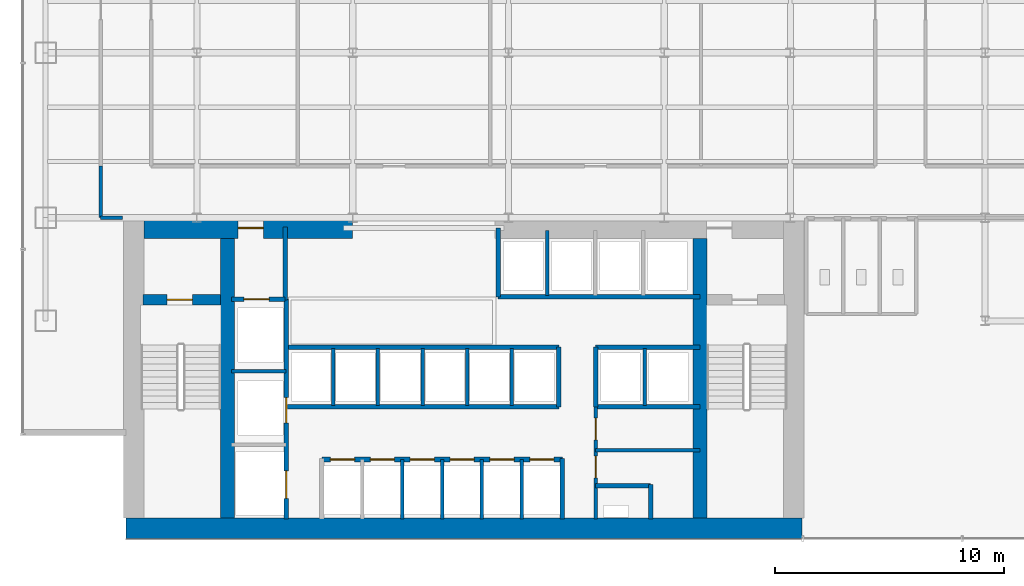
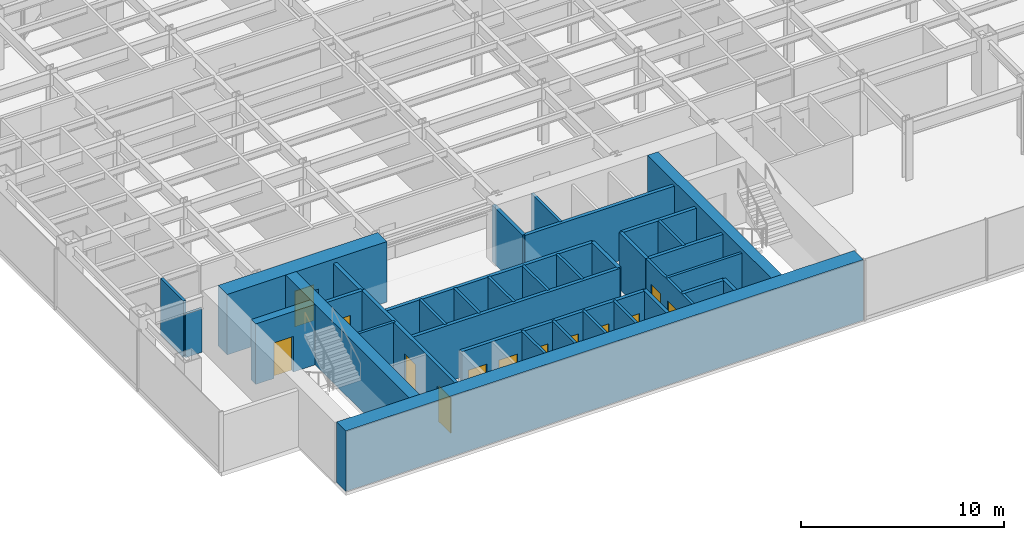
# One storey, part 18 of 23: 36 walls, 13 doors, 13 openings.
"""IFC4 building model written with IfcOpenShell, lengths in metres."""

from ifc_helpers import new_model, si_unit, derived_unit, direction, frame, frame_2d, origin, place, context, subcontext, project, spatial, rectangle, extrude, source, transform, mapped, material, layer, layer_set, type_object, element, fill, save


model = new_model("IFC4")

# Units and contexts
model_context = context("Model", 3, precision=1e-05, world=origin(), true_north=direction((0.0, 1.0)))
body_context = subcontext(model_context, "Body", "Model", "MODEL_VIEW")
ifc_project = project(units=[si_unit("LENGTHUNIT", "METRE"), si_unit("AREAUNIT", "SQUARE_METRE"), si_unit("VOLUMEUNIT", "CUBIC_METRE"), si_unit("PLANEANGLEUNIT", "RADIAN"), si_unit("MASSUNIT", "GRAM", prefix="KILO"), derived_unit("THERMALTRANSMITTANCEUNIT", [(si_unit("POWERUNIT", "WATT"), 1), (si_unit("LENGTHUNIT", "METRE"), -2), (si_unit("THERMODYNAMICTEMPERATUREUNIT", "KELVIN"), -1)])], contexts=[model_context])

# Site, building, storey
site_placement = place(None, origin())
site = spatial("IfcSite", under=ifc_project, at=site_placement, CompositionType="ELEMENT")
building_placement = place(site_placement, origin())
building = spatial("IfcBuilding", under=site, at=building_placement, Name="Skarnbrae Concourse Arena and Tower", CompositionType="ELEMENT")
storey_placement = place(building_placement, frame((0.0, 0.0, 47.10009765625)))
storey = spatial("IfcBuildingStorey", under=building, at=storey_placement, Name="L10", CompositionType="ELEMENT", Elevation=47.10009765625)

# Wall
ifc_material_1 = material(Name="Concrete 70 MPa (C70/85)", Category="concrete")
ifc_layer_1 = layer(ifc_material_1, 0.89990234375)
ifc_layer_set_1 = layer_set([ifc_layer_1], Name="Concrete 70 MPa (C70/85)")
wall_type_1 = type_object("IfcWallType", Name="WALL-CORE-900-C70", PredefinedType="SHEAR", material=ifc_layer_set_1)
shared_shape_1 = source(origin(), body_context, "Body", "SweptSolid", [
    extrude(rectangle(XDim=29.5, YDim=0.89990234375, at=frame_2d((14.75, 0.0))), origin(), (0.0, 0.0, 1.0), 3.64990234375),
])
wall_1_placement = place(storey_placement, frame((4.5, 0.449951171875, 0.0), z_axis=(0.0, 0.0, 1.0), x_axis=(1.0, 0.0, 0.0)))
element("IfcWall", 1, at=wall_1_placement, inside=storey, type_object=wall_type_1, Name="L10 Rear core shear wall CW-S", PredefinedType="SHEAR", context=body_context, shape_type="MappedRepresentation", body=[
    mapped(shared_shape_1, transform((0.0, 0.0, 0.0))),
])

# Wall, opening, door
shared_shape_2 = source(origin(), body_context, "Body", "SweptSolid", [
    extrude(rectangle(XDim=9.099853515625, YDim=0.89990234375, at=frame_2d((4.5498046875, 0.0))), origin(), (0.0, 0.0, 1.0), 3.64990234375),
])
wall_2_placement = place(storey_placement, frame((5.300048828125, 13.550048828125, 0.0), z_axis=(0.0, 0.0, 1.0), x_axis=(1.0, 0.0, 0.0)))
wall_2 = element("IfcWall", 2, at=wall_2_placement, inside=storey, type_object=wall_type_1, Name="L10 Rear core shear wall CW-NW", PredefinedType="SHEAR", context=body_context, shape_type="MappedRepresentation", body=[
    mapped(shared_shape_2, transform((0.0, 0.0, 0.0))),
])
opening_1_placement = place(wall_2_placement, frame((4.10009765625, 0.0, 0.0)))
opening_1 = element("IfcOpeningElement", 3, at=opening_1_placement, cuts=wall_2, Name="Opening DT-03", PredefinedType="OPENING", context=body_context, shape_type="SweptSolid", body=[
    extrude(rectangle(XDim=1.10009765625, YDim=2.14990234375, at=frame_2d((0.550048828125, 1.074951171875))), frame((0.0, 0.4599609375, 0.0), z_axis=(0.0, -1.0, 0.0), x_axis=(1.0, 0.0, 0.0)), (0.0, 0.0, 1.0), 0.919921875),
])
ifc_material_2 = material(Name="Steel CSA G40.21 350W", Category="steel")
door_type_1 = type_object("IfcDoorType", Name="DOOR-FIRE-1100-90M", OperationType="NOTDEFINED", PredefinedType="DOOR", material=ifc_material_2)
shared_shape_3 = source(origin(), body_context, "Body", "SweptSolid", [
    extrude(rectangle(XDim=1.10009765625, YDim=2.14990234375, at=frame_2d((0.550048828125, 1.074951171875))), frame((0.0, 0.02490234375, 0.0), z_axis=(0.0, -1.0, 0.0), x_axis=(1.0, 0.0, 0.0)), (0.0, 0.0, 1.0), 0.050048828125),
])
door_1_placement = place(opening_1_placement, origin())
door_1 = element("IfcDoor", 4, at=door_1_placement, inside=storey, type_object=door_type_1, Name="D-0439 Firefighting Lobby Exit Door", OperationType="SINGLE_SWING_RIGHT", OverallHeight=2.14990234375, OverallWidth=1.10009765625, PredefinedType="DOOR", context=body_context, shape_type="MappedRepresentation", body=[
    mapped(shared_shape_3, transform((0.0, 0.0, 0.0))),
])
fill(opening_1, door_1)

# Walls
ifc_layer_2 = layer(ifc_material_1, 0.60009765625)
ifc_layer_set_2 = layer_set([ifc_layer_2], Name="Concrete 70 MPa (C70/85)")
wall_type_2 = type_object("IfcWallType", Name="WALL-CORE-600-C70", PredefinedType="SHEAR", material=ifc_layer_set_2)
shared_shape_4 = source(origin(), body_context, "Body", "SweptSolid", [
    extrude(rectangle(XDim=12.2001953125, YDim=0.60009765625, at=frame_2d((6.10009765625, 0.0))), origin(), (0.0, 0.0, 1.0), 3.64990234375),
])
for number, where, z_axis, x_axis, name in (
    (5, (8.93994140625, 0.89990234375, 0.0), (0.0, 0.0, 1.0), (0.0, 1.0, 0.0), "L10 Rear core shear wall CW-WEB-W"),
    (6, (29.56005859375, 0.89990234375, 0.0), (0.0, 0.0, 1.0), (0.0, 1.0, 0.0), "L10 Rear core shear wall CW-WEB-E"),
):
    element("IfcWall", number, at=place(storey_placement, frame(where, z_axis=z_axis, x_axis=x_axis)), inside=storey, type_object=wall_type_2, Name=name, PredefinedType="SHEAR", context=body_context, shape_type="MappedRepresentation", body=[
        mapped(shared_shape_4, transform((0.0, 0.0, 0.0))),
    ])

# Wall, opening, door
ifc_material_3 = material(Name="Concrete 50 MPa (C50/60)", Category="concrete")
ifc_layer_3 = layer(ifc_material_3, 0.449951171875)
ifc_layer_set_3 = layer_set([ifc_layer_3], Name="Concrete 50 MPa (C50/60)")
wall_type_3 = type_object("IfcWallType", Name="WALL-CORE-450-C50", PredefinedType="SHEAR", material=ifc_layer_set_3)
shared_shape_5 = source(origin(), body_context, "Body", "SweptSolid", [
    extrude(rectangle(XDim=3.389892578125, YDim=0.449951171875, at=frame_2d((1.69482421875, 0.0))), origin(), (0.0, 0.0, 1.0), 3.64990234375),
])
wall_3_placement = place(storey_placement, frame((5.25, 10.419921875, 0.0), z_axis=(0.0, 0.0, 1.0), x_axis=(1.0, 0.0, 0.0)))
wall_3 = element("IfcWall", 7, at=wall_3_placement, inside=storey, type_object=wall_type_3, Name="L10 Rear core shear wall CW-ST1-N", PredefinedType="SHEAR", context=body_context, shape_type="MappedRepresentation", body=[
    mapped(shared_shape_5, transform((0.0, 0.0, 0.0))),
])
opening_2_placement = place(wall_3_placement, frame((1.050048828125, 0.0, 0.0)))
opening_2 = element("IfcOpeningElement", 8, at=opening_2_placement, cuts=wall_3, Name="Opening DT-03", PredefinedType="OPENING", context=body_context, shape_type="SweptSolid", body=[
    extrude(rectangle(XDim=1.10009765625, YDim=2.14990234375, at=frame_2d((0.550048828125, 1.074951171875))), frame((0.0, 0.23486328125, 0.0), z_axis=(0.0, -1.0, 0.0), x_axis=(1.0, 0.0, 0.0)), (0.0, 0.0, 1.0), 0.469970703125),
])
door_2_placement = place(opening_2_placement, frame((1.10009765625, 0.0, 0.0), z_axis=(0.0, 0.0, 1.0), x_axis=(-1.0, 0.0, 0.0)))
door_2 = element("IfcDoor", 9, at=door_2_placement, inside=storey, type_object=door_type_1, Name="D-0437 Stair ST-1 Door", OperationType="SINGLE_SWING_LEFT", OverallHeight=2.14990234375, OverallWidth=1.10009765625, PredefinedType="DOOR", context=body_context, shape_type="MappedRepresentation", body=[
    mapped(shared_shape_3, transform((0.0, 0.0, 0.0))),
])
fill(opening_2, door_2)

# Wall
ifc_material_4 = material(Name="Gypsum board on cold-formed steel studs", Category="steel")
ifc_layer_4 = layer(ifc_material_4, 0.199951171875)
ifc_layer_set_4 = layer_set([ifc_layer_4], Name="Gypsum board on cold-formed steel studs")
wall_type_4 = type_object("IfcWallType", Name="WALL-PART-200-2HR", PredefinedType="PARTITIONING", material=ifc_layer_set_4)
shared_shape_6 = source(origin(), body_context, "Body", "SweptSolid", [
    extrude(rectangle(XDim=3.18017578125, YDim=0.199951171875, at=frame_2d((1.590087890625, 0.0))), origin(), (0.0, 0.0, 1.0), 3.39990234375),
])
wall_4_placement = place(storey_placement, frame((11.449951171875, 10.419921875, 0.0), z_axis=(0.0, 0.0, 1.0), x_axis=(0.0, 1.0, 0.0)))
element("IfcWall", 10, at=wall_4_placement, inside=storey, type_object=wall_type_4, Name="L10 Interior partition wall W-L10-FFL-E", PredefinedType="PARTITIONING", context=body_context, shape_type="MappedRepresentation", body=[
    mapped(shared_shape_6, transform((0.0, 0.0, 0.0))),
])

# Wall, opening, door
shared_shape_7 = source(origin(), body_context, "Body", "SweptSolid", [
    extrude(rectangle(XDim=2.349853515625, YDim=0.199951171875, at=frame_2d((1.1748046875, 0.0))), origin(), (0.0, 0.0, 1.0), 3.39990234375),
])
wall_5_placement = place(storey_placement, frame((9.10009765625, 10.449951171875, 0.0), z_axis=(0.0, 0.0, 1.0), x_axis=(1.0, 0.0, 0.0)))
wall_5 = element("IfcWall", 11, at=wall_5_placement, inside=storey, type_object=wall_type_4, Name="L10 Interior partition wall W-L10-FL1-N", PredefinedType="PARTITIONING", context=body_context, shape_type="MappedRepresentation", body=[
    mapped(shared_shape_7, transform((0.0, 0.0, 0.0))),
])
opening_3_placement = place(wall_5_placement, frame((0.550048828125, 0.0, 0.0)))
opening_3 = element("IfcOpeningElement", 12, at=opening_3_placement, cuts=wall_5, Name="Opening LD-01", PredefinedType="OPENING", context=body_context, shape_type="SweptSolid", body=[
    extrude(rectangle(XDim=1.10009765625, YDim=2.14990234375, at=frame_2d((0.550048828125, 1.074951171875))), frame((0.0, 0.10986328125, 0.0), z_axis=(0.0, -1.0, 0.0), x_axis=(1.0, 0.0, 0.0)), (0.0, 0.0, 1.0), 0.219970703125),
])
door_type_2 = type_object("IfcDoorType", Name="DOOR-LIFT-SLIDE-1100", OperationType="SLIDING_TO_LEFT", PredefinedType="DOOR", material=ifc_material_2)
door_3_placement = place(opening_3_placement, origin())
door_3 = element("IfcDoor", 13, at=door_3_placement, inside=storey, type_object=door_type_2, Name="D-0441 Firefighting Lift Landing Door FL-01", OperationType="SLIDING_TO_LEFT", OverallHeight=2.14990234375, OverallWidth=1.10009765625, PredefinedType="DOOR", context=body_context, shape_type="MappedRepresentation", body=[
    mapped(shared_shape_3, transform((0.0, 0.0, 0.0))),
])
fill(opening_3, door_3)

# Wall, openings, doors
shared_shape_8 = source(origin(), body_context, "Body", "SweptSolid", [
    extrude(rectangle(XDim=9.599853515625, YDim=0.199951171875, at=frame_2d((4.7998046875, 0.0))), origin(), (0.0, 0.0, 1.0), 3.39990234375),
])
wall_6_placement = place(storey_placement, frame((11.5, 0.85009765625, 0.0), z_axis=(0.0, 0.0, 1.0), x_axis=(0.0, 1.0, 0.0)))
wall_6 = element("IfcWall", 14, at=wall_6_placement, inside=storey, type_object=wall_type_4, Name="L10 Interior partition wall W-L10-FL-E", PredefinedType="PARTITIONING", context=body_context, shape_type="MappedRepresentation", body=[
    mapped(shared_shape_8, transform((0.0, 0.0, 0.0))),
])
opening_4_placement = place(wall_6_placement, frame((4.199951171875, 0.0, 0.0)))
opening_4 = element("IfcOpeningElement", 15, at=opening_4_placement, cuts=wall_6, Name="Opening LD-01", PredefinedType="OPENING", context=body_context, shape_type="SweptSolid", body=[
    extrude(rectangle(XDim=1.10009765625, YDim=2.14990234375, at=frame_2d((0.550048828125, 1.074951171875))), frame((0.0, 0.10986328125, 0.0), z_axis=(0.0, -1.0, 0.0), x_axis=(1.0, 0.0, 0.0)), (0.0, 0.0, 1.0), 0.219970703125),
])
opening_5_placement = place(wall_6_placement, frame((0.89990234375, 0.0, 0.0)))
opening_5 = element("IfcOpeningElement", 16, at=opening_5_placement, cuts=wall_6, Name="Opening LD-02", PredefinedType="OPENING", context=body_context, shape_type="SweptSolid", body=[
    extrude(rectangle(XDim=1.199951171875, YDim=2.14990234375, at=frame_2d((0.60009765625, 1.074951171875))), frame((0.0, 0.10986328125, 0.0), z_axis=(0.0, -1.0, 0.0), x_axis=(1.0, 0.0, 0.0)), (0.0, 0.0, 1.0), 0.219970703125),
])
door_4_placement = place(opening_4_placement, frame((1.10009765625, 0.0, 0.0), z_axis=(0.0, 0.0, 1.0), x_axis=(-1.0, 0.0, 0.0)))
door_4 = element("IfcDoor", 17, at=door_4_placement, inside=storey, type_object=door_type_2, Name="D-0442 Firefighting Lift Landing Door FL-02", OperationType="SLIDING_TO_LEFT", OverallHeight=2.14990234375, OverallWidth=1.10009765625, PredefinedType="DOOR", context=body_context, shape_type="MappedRepresentation", body=[
    mapped(shared_shape_3, transform((0.0, 0.0, 0.0))),
])
fill(opening_4, door_4)
door_type_3 = type_object("IfcDoorType", Name="DOOR-LIFT-SLIDE-1200", OperationType="SLIDING_TO_LEFT", PredefinedType="DOOR", material=ifc_material_2)
shared_shape_9 = source(origin(), body_context, "Body", "SweptSolid", [
    extrude(rectangle(XDim=1.199951171875, YDim=2.14990234375, at=frame_2d((0.60009765625, 1.074951171875))), frame((0.0, 0.02490234375, 0.0), z_axis=(0.0, -1.0, 0.0), x_axis=(1.0, 0.0, 0.0)), (0.0, 0.0, 1.0), 0.050048828125),
])
door_5_placement = place(opening_5_placement, frame((1.199951171875, 0.0, 0.0), z_axis=(0.0, 0.0, 1.0), x_axis=(-1.0, 0.0, 0.0)))
door_5 = element("IfcDoor", 18, at=door_5_placement, inside=storey, type_object=door_type_3, Name="D-0443 Service Lift Landing Door SV-01", OperationType="SLIDING_TO_LEFT", OverallHeight=2.14990234375, OverallWidth=1.199951171875, PredefinedType="DOOR", context=body_context, shape_type="MappedRepresentation", body=[
    mapped(shared_shape_9, transform((0.0, 0.0, 0.0))),
])
fill(opening_5, door_5)

# Walls
ifc_layer_5 = layer(ifc_material_4, 0.14990234375)
ifc_layer_set_5 = layer_set([ifc_layer_5], Name="Gypsum board on cold-formed steel studs")
wall_type_5 = type_object("IfcWallType", Name="WALL-PART-150", PredefinedType="PARTITIONING", material=ifc_layer_set_5)
shared_shape_10 = source(origin(), body_context, "Body", "SweptSolid", [
    extrude(rectangle(XDim=2.39990234375, YDim=0.14990234375, at=frame_2d((1.199951171875, 0.0))), origin(), (0.0, 0.0, 1.0), 3.39990234375),
])
wall_7_placement = place(storey_placement, frame((9.10009765625, 7.300048828125, 0.0), z_axis=(0.0, 0.0, 1.0), x_axis=(1.0, 0.0, 0.0)))
element("IfcWall", 19, at=wall_7_placement, inside=storey, type_object=wall_type_5, Name="L10 Interior partition wall W-L10-FL-D2", PredefinedType="PARTITIONING", context=body_context, shape_type="MappedRepresentation", body=[
    mapped(shared_shape_10, transform((0.0, 0.0, 0.0))),
])
shared_shape_11 = source(origin(), body_context, "Body", "SweptSolid", [
    extrude(rectangle(XDim=2.64990234375, YDim=0.199951171875, at=frame_2d((1.324951171875, 0.0))), origin(), (0.0, 0.0, 1.0), 3.39990234375),
])
wall_8_placement = place(storey_placement, frame((23.550048828125, 0.85009765625, 0.0), z_axis=(0.0, 0.0, 1.0), x_axis=(0.0, 1.0, 0.0)))
element("IfcWall", 20, at=wall_8_placement, inside=storey, type_object=wall_type_4, Name="L10 Interior partition wall W-L10-B1-E", PredefinedType="PARTITIONING", context=body_context, shape_type="MappedRepresentation", body=[
    mapped(shared_shape_11, transform((0.0, 0.0, 0.0))),
])

# Wall, openings, doors
shared_shape_12 = source(origin(), body_context, "Body", "SweptSolid", [
    extrude(rectangle(XDim=10.5, YDim=0.199951171875, at=frame_2d((5.25, 0.0))), origin(), (0.0, 0.0, 1.0), 3.39990234375),
])
wall_9_placement = place(storey_placement, frame((13.050048828125, 3.449951171875, 0.0), z_axis=(0.0, 0.0, 1.0), x_axis=(1.0, 0.0, 0.0)))
wall_9 = element("IfcWall", 21, at=wall_9_placement, inside=storey, type_object=wall_type_4, Name="L10 Interior partition wall W-L10-B1-N", PredefinedType="PARTITIONING", context=body_context, shape_type="MappedRepresentation", body=[
    mapped(shared_shape_12, transform((0.0, 0.0, 0.0))),
])
opening_6_placement = place(wall_9_placement, frame((0.3798828125, 0.0, 0.0)))
opening_6 = element("IfcOpeningElement", 22, at=opening_6_placement, cuts=wall_9, Name="Opening LD-03", PredefinedType="OPENING", context=body_context, shape_type="SweptSolid", body=[
    extrude(rectangle(XDim=1.050048828125, YDim=2.14990234375, at=frame_2d((0.52490234375, 1.074951171875))), frame((0.0, 0.10986328125, 0.0), z_axis=(0.0, -1.0, 0.0), x_axis=(1.0, 0.0, 0.0)), (0.0, 0.0, 1.0), 0.219970703125),
])
opening_7_placement = place(wall_9_placement, frame((2.1201171875, 0.0, 0.0)))
opening_7 = element("IfcOpeningElement", 23, at=opening_7_placement, cuts=wall_9, Name="Opening LD-03", PredefinedType="OPENING", context=body_context, shape_type="SweptSolid", body=[
    extrude(rectangle(XDim=1.050048828125, YDim=2.14990234375, at=frame_2d((0.52490234375, 1.074951171875))), frame((0.0, 0.10986328125, 0.0), z_axis=(0.0, -1.0, 0.0), x_axis=(1.0, 0.0, 0.0)), (0.0, 0.0, 1.0), 0.219970703125),
])
opening_8_placement = place(wall_9_placement, frame((3.860107421875, 0.0, 0.0)))
opening_8 = element("IfcOpeningElement", 24, at=opening_8_placement, cuts=wall_9, Name="Opening LD-03", PredefinedType="OPENING", context=body_context, shape_type="SweptSolid", body=[
    extrude(rectangle(XDim=1.050048828125, YDim=2.14990234375, at=frame_2d((0.52490234375, 1.074951171875))), frame((0.0, 0.10986328125, 0.0), z_axis=(0.0, -1.0, 0.0), x_axis=(1.0, 0.0, 0.0)), (0.0, 0.0, 1.0), 0.219970703125),
])
opening_9_placement = place(wall_9_placement, frame((5.60009765625, 0.0, 0.0)))
opening_9 = element("IfcOpeningElement", 25, at=opening_9_placement, cuts=wall_9, Name="Opening LD-03", PredefinedType="OPENING", context=body_context, shape_type="SweptSolid", body=[
    extrude(rectangle(XDim=1.050048828125, YDim=2.14990234375, at=frame_2d((0.52490234375, 1.074951171875))), frame((0.0, 0.10986328125, 0.0), z_axis=(0.0, -1.0, 0.0), x_axis=(1.0, 0.0, 0.0)), (0.0, 0.0, 1.0), 0.219970703125),
])
opening_10_placement = place(wall_9_placement, frame((7.340087890625, 0.0, 0.0)))
opening_10 = element("IfcOpeningElement", 26, at=opening_10_placement, cuts=wall_9, Name="Opening LD-03", PredefinedType="OPENING", context=body_context, shape_type="SweptSolid", body=[
    extrude(rectangle(XDim=1.050048828125, YDim=2.14990234375, at=frame_2d((0.52490234375, 1.074951171875))), frame((0.0, 0.10986328125, 0.0), z_axis=(0.0, -1.0, 0.0), x_axis=(1.0, 0.0, 0.0)), (0.0, 0.0, 1.0), 0.219970703125),
])
opening_11_placement = place(wall_9_placement, frame((9.080078125, 0.0, 0.0)))
opening_11 = element("IfcOpeningElement", 27, at=opening_11_placement, cuts=wall_9, Name="Opening LD-03", PredefinedType="OPENING", context=body_context, shape_type="SweptSolid", body=[
    extrude(rectangle(XDim=1.050048828125, YDim=2.14990234375, at=frame_2d((0.52490234375, 1.074951171875))), frame((0.0, 0.10986328125, 0.0), z_axis=(0.0, -1.0, 0.0), x_axis=(1.0, 0.0, 0.0)), (0.0, 0.0, 1.0), 0.219970703125),
])
ifc_material_5 = material(Name="Bronze anodised aluminium 6063-T6", Category="aluminium")
door_type_4 = type_object("IfcDoorType", Name="DOOR-LIFT-SLIDE-1050", OperationType="SLIDING_TO_LEFT", PredefinedType="DOOR", material=ifc_material_5)
shared_shape_13 = source(origin(), body_context, "Body", "SweptSolid", [
    extrude(rectangle(XDim=1.050048828125, YDim=2.14990234375, at=frame_2d((0.52490234375, 1.074951171875))), frame((0.0, 0.02490234375, 0.0), z_axis=(0.0, -1.0, 0.0), x_axis=(1.0, 0.0, 0.0)), (0.0, 0.0, 1.0), 0.050048828125),
])
door_6_placement = place(opening_6_placement, origin())
door_6 = element("IfcDoor", 28, at=door_6_placement, inside=storey, type_object=door_type_4, Name="D-0444 Passenger Lift Landing Door PL-1A", OperationType="SLIDING_TO_LEFT", OverallHeight=2.14990234375, OverallWidth=1.050048828125, PredefinedType="DOOR", context=body_context, shape_type="MappedRepresentation", body=[
    mapped(shared_shape_13, transform((0.0, 0.0, 0.0))),
])
fill(opening_6, door_6)
door_7_placement = place(opening_7_placement, origin())
door_7 = element("IfcDoor", 29, at=door_7_placement, inside=storey, type_object=door_type_4, Name="D-0445 Passenger Lift Landing Door PL-1B", OperationType="SLIDING_TO_LEFT", OverallHeight=2.14990234375, OverallWidth=1.050048828125, PredefinedType="DOOR", context=body_context, shape_type="MappedRepresentation", body=[
    mapped(shared_shape_13, transform((0.0, 0.0, 0.0))),
])
fill(opening_7, door_7)
door_8_placement = place(opening_8_placement, origin())
door_8 = element("IfcDoor", 30, at=door_8_placement, inside=storey, type_object=door_type_4, Name="D-0446 Passenger Lift Landing Door PL-1C", OperationType="SLIDING_TO_LEFT", OverallHeight=2.14990234375, OverallWidth=1.050048828125, PredefinedType="DOOR", context=body_context, shape_type="MappedRepresentation", body=[
    mapped(shared_shape_13, transform((0.0, 0.0, 0.0))),
])
fill(opening_8, door_8)
door_9_placement = place(opening_9_placement, origin())
door_9 = element("IfcDoor", 31, at=door_9_placement, inside=storey, type_object=door_type_4, Name="D-0447 Passenger Lift Landing Door PL-1D", OperationType="SLIDING_TO_LEFT", OverallHeight=2.14990234375, OverallWidth=1.050048828125, PredefinedType="DOOR", context=body_context, shape_type="MappedRepresentation", body=[
    mapped(shared_shape_13, transform((0.0, 0.0, 0.0))),
])
fill(opening_9, door_9)
door_10_placement = place(opening_10_placement, origin())
door_10 = element("IfcDoor", 32, at=door_10_placement, inside=storey, type_object=door_type_4, Name="D-0448 Passenger Lift Landing Door PL-1E", OperationType="SLIDING_TO_LEFT", OverallHeight=2.14990234375, OverallWidth=1.050048828125, PredefinedType="DOOR", context=body_context, shape_type="MappedRepresentation", body=[
    mapped(shared_shape_13, transform((0.0, 0.0, 0.0))),
])
fill(opening_10, door_10)
door_11_placement = place(opening_11_placement, origin())
door_11 = element("IfcDoor", 33, at=door_11_placement, inside=storey, type_object=door_type_4, Name="D-0449 Passenger Lift Landing Door PL-1F", OperationType="SLIDING_TO_LEFT", OverallHeight=2.14990234375, OverallWidth=1.050048828125, PredefinedType="DOOR", context=body_context, shape_type="MappedRepresentation", body=[
    mapped(shared_shape_13, transform((0.0, 0.0, 0.0))),
])
fill(opening_11, door_11)

# Walls
shared_shape_14 = source(origin(), body_context, "Body", "SweptSolid", [
    extrude(rectangle(XDim=2.599853515625, YDim=0.14990234375, at=frame_2d((1.2998046875, 0.0))), origin(), (0.0, 0.0, 1.0), 3.39990234375),
])
for number, where, z_axis, x_axis, name in (
    (34, (16.56005859375, 0.85009765625, 0.0), (0.0, 0.0, 1.0), (0.0, 1.0, 0.0), "L10 Interior partition wall W-L10-B1-P2"),
    (35, (18.300048828125, 0.85009765625, 0.0), (0.0, 0.0, 1.0), (0.0, 1.0, 0.0), "L10 Interior partition wall W-L10-B1-P3"),
    (36, (20.0400390625, 0.85009765625, 0.0), (0.0, 0.0, 1.0), (0.0, 1.0, 0.0), "L10 Interior partition wall W-L10-B1-P4"),
    (37, (21.780029296875, 0.85009765625, 0.0), (0.0, 0.0, 1.0), (0.0, 1.0, 0.0), "L10 Interior partition wall W-L10-B1-P5"),
):
    element("IfcWall", number, at=place(storey_placement, frame(where, z_axis=z_axis, x_axis=x_axis)), inside=storey, type_object=wall_type_5, Name=name, PredefinedType="PARTITIONING", context=body_context, shape_type="MappedRepresentation", body=[
        mapped(shared_shape_14, transform((0.0, 0.0, 0.0))),
    ])
shared_shape_15 = source(origin(), body_context, "Body", "SweptSolid", [
    extrude(rectangle(XDim=11.849853515625, YDim=0.199951171875, at=frame_2d((5.9248046875, 0.0))), origin(), (0.0, 0.0, 1.0), 3.39990234375),
])
for number, where, z_axis, x_axis, name in (
    (38, (11.550048828125, 5.75, 0.0), (0.0, 0.0, 1.0), (1.0, 0.0, 0.0), "L10 Interior partition wall W-L10-B2-S"),
    (39, (11.550048828125, 8.35009765625, 0.0), (0.0, 0.0, 1.0), (1.0, 0.0, 0.0), "L10 Interior partition wall W-L10-B2-N"),
):
    element("IfcWall", number, at=place(storey_placement, frame(where, z_axis=z_axis, x_axis=x_axis)), inside=storey, type_object=wall_type_4, Name=name, PredefinedType="PARTITIONING", context=body_context, shape_type="MappedRepresentation", body=[
        mapped(shared_shape_15, transform((0.0, 0.0, 0.0))),
    ])
shared_shape_16 = source(origin(), body_context, "Body", "SweptSolid", [
    extrude(rectangle(XDim=2.60009765625, YDim=0.199951171875, at=frame_2d((1.300048828125, 0.0))), origin(), (0.0, 0.0, 1.0), 3.39990234375),
])
for number, where, z_axis, x_axis, name in (
    (40, (23.39990234375, 5.75, 0.0), (0.0, 0.0, 1.0), (0.0, 1.0, 0.0), "L10 Interior partition wall W-L10-B2-E"),
    (41, (25.0, 5.75, 0.0), (0.0, 0.0, 1.0), (0.0, 1.0, 0.0), "L10 Interior partition wall W-L10-B3S-W"),
):
    element("IfcWall", number, at=place(storey_placement, frame(where, z_axis=z_axis, x_axis=x_axis)), inside=storey, type_object=wall_type_4, Name=name, PredefinedType="PARTITIONING", context=body_context, shape_type="MappedRepresentation", body=[
        mapped(shared_shape_16, transform((0.0, 0.0, 0.0))),
    ])
shared_shape_17 = source(origin(), body_context, "Body", "SweptSolid", [
    extrude(rectangle(XDim=2.5, YDim=0.14990234375, at=frame_2d((1.25, 0.0))), origin(), (0.0, 0.0, 1.0), 3.39990234375),
])
for number, where, z_axis, x_axis, name in (
    (42, (13.550048828125, 5.800048828125, 0.0), (0.0, 0.0, 1.0), (0.0, 1.0, 0.0), "L10 Interior partition wall W-L10-B2-P1"),
    (43, (15.5, 5.800048828125, 0.0), (0.0, 0.0, 1.0), (0.0, 1.0, 0.0), "L10 Interior partition wall W-L10-B2-P2"),
    (44, (17.449951171875, 5.800048828125, 0.0), (0.0, 0.0, 1.0), (0.0, 1.0, 0.0), "L10 Interior partition wall W-L10-B2-P3"),
    (45, (19.39990234375, 5.800048828125, 0.0), (0.0, 0.0, 1.0), (0.0, 1.0, 0.0), "L10 Interior partition wall W-L10-B2-P4"),
    (46, (21.35009765625, 5.800048828125, 0.0), (0.0, 0.0, 1.0), (0.0, 1.0, 0.0), "L10 Interior partition wall W-L10-B2-P5"),
    (47, (27.139892578125, 5.800048828125, 0.0), (0.0, 0.0, 1.0), (0.0, 1.0, 0.0), "L10 Interior partition wall W-L10-B3S-P1"),
):
    element("IfcWall", number, at=place(storey_placement, frame(where, z_axis=z_axis, x_axis=x_axis)), inside=storey, type_object=wall_type_5, Name=name, PredefinedType="PARTITIONING", context=body_context, shape_type="MappedRepresentation", body=[
        mapped(shared_shape_17, transform((0.0, 0.0, 0.0))),
    ])
shared_shape_18 = source(origin(), body_context, "Body", "SweptSolid", [
    extrude(rectangle(XDim=8.800048828125, YDim=0.199951171875, at=frame_2d((4.39990234375, 0.0))), origin(), (0.0, 0.0, 1.0), 3.39990234375),
])
wall_10_placement = place(storey_placement, frame((20.75, 10.550048828125, 0.0), z_axis=(0.0, 0.0, 1.0), x_axis=(1.0, 0.0, 0.0)))
element("IfcWall", 48, at=wall_10_placement, inside=storey, type_object=wall_type_4, Name="L10 Interior partition wall W-L10-B3N-S", PredefinedType="PARTITIONING", context=body_context, shape_type="MappedRepresentation", body=[
    mapped(shared_shape_18, transform((0.0, 0.0, 0.0))),
])
shared_shape_19 = source(origin(), body_context, "Body", "SweptSolid", [
    extrude(rectangle(XDim=3.0, YDim=0.199951171875, at=frame_2d((1.5, 0.0))), origin(), (0.0, 0.0, 1.0), 3.39990234375),
])
wall_11_placement = place(storey_placement, frame((20.75, 10.550048828125, 0.0), z_axis=(0.0, 0.0, 1.0), x_axis=(0.0, 1.0, 0.0)))
element("IfcWall", 49, at=wall_11_placement, inside=storey, type_object=wall_type_4, Name="L10 Interior partition wall W-L10-B3N-W", PredefinedType="PARTITIONING", context=body_context, shape_type="MappedRepresentation", body=[
    mapped(shared_shape_19, transform((0.0, 0.0, 0.0))),
])
shared_shape_20 = source(origin(), body_context, "Body", "SweptSolid", [
    extrude(rectangle(XDim=2.849853515625, YDim=0.14990234375, at=frame_2d((1.4248046875, 0.0))), origin(), (0.0, 0.0, 1.0), 3.39990234375),
])
wall_12_placement = place(storey_placement, frame((22.889892578125, 10.60009765625, 0.0), z_axis=(0.0, 0.0, 1.0), x_axis=(0.0, 1.0, 0.0)))
element("IfcWall", 50, at=wall_12_placement, inside=storey, type_object=wall_type_5, Name="L10 Interior partition wall W-L10-B3N-P1", PredefinedType="PARTITIONING", context=body_context, shape_type="MappedRepresentation", body=[
    mapped(shared_shape_20, transform((0.0, 0.0, 0.0))),
])
shared_shape_21 = source(origin(), body_context, "Body", "SweptSolid", [
    extrude(rectangle(XDim=4.550048828125, YDim=0.199951171875, at=frame_2d((2.27490234375, 0.0))), origin(), (0.0, 0.0, 1.0), 3.39990234375),
])
for number, where, z_axis, x_axis, name in (
    (51, (25.0, 8.35009765625, 0.0), (0.0, 0.0, 1.0), (1.0, 0.0, 0.0), "L10 Interior partition wall W-L10-B3S-N"),
    (52, (25.0, 5.75, 0.0), (0.0, 0.0, 1.0), (1.0, 0.0, 0.0), "L10 Interior partition wall W-L10-B3S-S"),
):
    element("IfcWall", number, at=place(storey_placement, frame(where, z_axis=z_axis, x_axis=x_axis)), inside=storey, type_object=wall_type_4, Name=name, PredefinedType="PARTITIONING", context=body_context, shape_type="MappedRepresentation", body=[
        mapped(shared_shape_21, transform((0.0, 0.0, 0.0))),
    ])

# Wall, openings, doors
ifc_layer_6 = layer(ifc_material_4, 0.14990234375)
ifc_layer_set_6 = layer_set([ifc_layer_6], Name="Gypsum board on cold-formed steel studs")
wall_type_6 = type_object("IfcWallType", Name="WALL-PART-150-1HR", PredefinedType="PARTITIONING", material=ifc_layer_set_6)
shared_shape_22 = source(origin(), body_context, "Body", "SweptSolid", [
    extrude(rectangle(XDim=4.89990234375, YDim=0.14990234375, at=frame_2d((2.449951171875, 0.0))), origin(), (0.0, 0.0, 1.0), 3.39990234375),
])
wall_13_placement = place(storey_placement, frame((25.0, 0.85009765625, 0.0), z_axis=(0.0, 0.0, 1.0), x_axis=(0.0, 1.0, 0.0)))
wall_13 = element("IfcWall", 53, at=wall_13_placement, inside=storey, type_object=wall_type_6, Name="L10 Interior partition wall W-L10-CSV-W", PredefinedType="PARTITIONING", context=body_context, shape_type="MappedRepresentation", body=[
    mapped(shared_shape_22, transform((0.0, 0.0, 0.0))),
])
opening_12_placement = place(wall_13_placement, frame((1.800048828125, 0.0, 0.0)))
opening_12 = element("IfcOpeningElement", 54, at=opening_12_placement, cuts=wall_13, Name="Opening DT-04", PredefinedType="OPENING", context=body_context, shape_type="SweptSolid", body=[
    extrude(rectangle(XDim=0.949951171875, YDim=2.14990234375, at=frame_2d((0.47509765625, 1.074951171875))), frame((0.0, 0.0849609375, 0.0), z_axis=(0.0, -1.0, 0.0), x_axis=(1.0, 0.0, 0.0)), (0.0, 0.0, 1.0), 0.169921875),
])
opening_13_placement = place(wall_13_placement, frame((3.449951171875, 0.0, 0.0)))
opening_13 = element("IfcOpeningElement", 55, at=opening_13_placement, cuts=wall_13, Name="Opening DT-04", PredefinedType="OPENING", context=body_context, shape_type="SweptSolid", body=[
    extrude(rectangle(XDim=0.949951171875, YDim=2.14990234375, at=frame_2d((0.47509765625, 1.074951171875))), frame((0.0, 0.0849609375, 0.0), z_axis=(0.0, -1.0, 0.0), x_axis=(1.0, 0.0, 0.0)), (0.0, 0.0, 1.0), 0.169921875),
])
door_type_5 = type_object("IfcDoorType", Name="DOOR-INT-950-45M", OperationType="NOTDEFINED", PredefinedType="DOOR", material=ifc_material_2)
shared_shape_23 = source(origin(), body_context, "Body", "SweptSolid", [
    extrude(rectangle(XDim=0.949951171875, YDim=2.14990234375, at=frame_2d((0.47509765625, 1.074951171875))), frame((0.0, 0.02490234375, 0.0), z_axis=(0.0, -1.0, 0.0), x_axis=(1.0, 0.0, 0.0)), (0.0, 0.0, 1.0), 0.050048828125),
])
door_12_placement = place(opening_12_placement, origin())
door_12 = element("IfcDoor", 56, at=door_12_placement, inside=storey, type_object=door_type_5, Name="D-0450 Electrical Switch Room Door", OperationType="SINGLE_SWING_LEFT", OverallHeight=2.14990234375, OverallWidth=0.949951171875, PredefinedType="DOOR", context=body_context, shape_type="MappedRepresentation", body=[
    mapped(shared_shape_23, transform((0.0, 0.0, 0.0))),
])
fill(opening_12, door_12)
door_13_placement = place(opening_13_placement, origin())
door_13 = element("IfcDoor", 57, at=door_13_placement, inside=storey, type_object=door_type_5, Name="D-0451 Cleaner Store Door", OperationType="SINGLE_SWING_RIGHT", OverallHeight=2.14990234375, OverallWidth=0.949951171875, PredefinedType="DOOR", context=body_context, shape_type="MappedRepresentation", body=[
    mapped(shared_shape_23, transform((0.0, 0.0, 0.0))),
])
fill(opening_13, door_13)

# Walls
shared_shape_24 = source(origin(), body_context, "Body", "SweptSolid", [
    extrude(rectangle(XDim=2.39990234375, YDim=0.199951171875, at=frame_2d((1.199951171875, 0.0))), origin(), (0.0, 0.0, 1.0), 3.39990234375),
])
wall_14_placement = place(storey_placement, frame((25.0, 2.300048828125, 0.0), z_axis=(0.0, 0.0, 1.0), x_axis=(1.0, 0.0, 0.0)))
element("IfcWall", 58, at=wall_14_placement, inside=storey, type_object=wall_type_4, Name="L10 Interior partition wall W-L10-MEP-N", PredefinedType="PARTITIONING", context=body_context, shape_type="MappedRepresentation", body=[
    mapped(shared_shape_24, transform((0.0, 0.0, 0.0))),
])
shared_shape_25 = source(origin(), body_context, "Body", "SweptSolid", [
    extrude(rectangle(XDim=1.5, YDim=0.199951171875, at=frame_2d((0.75, 0.0))), origin(), (0.0, 0.0, 1.0), 3.39990234375),
])
wall_15_placement = place(storey_placement, frame((27.39990234375, 0.85009765625, 0.0), z_axis=(0.0, 0.0, 1.0), x_axis=(0.0, 1.0, 0.0)))
element("IfcWall", 59, at=wall_15_placement, inside=storey, type_object=wall_type_4, Name="L10 Interior partition wall W-L10-MEP-E", PredefinedType="PARTITIONING", context=body_context, shape_type="MappedRepresentation", body=[
    mapped(shared_shape_25, transform((0.0, 0.0, 0.0))),
])
shared_shape_26 = source(origin(), body_context, "Body", "SweptSolid", [
    extrude(rectangle(XDim=4.550048828125, YDim=0.14990234375, at=frame_2d((2.27490234375, 0.0))), origin(), (0.0, 0.0, 1.0), 3.39990234375),
])
wall_16_placement = place(storey_placement, frame((25.0, 3.85009765625, 0.0), z_axis=(0.0, 0.0, 1.0), x_axis=(1.0, 0.0, 0.0)))
element("IfcWall", 60, at=wall_16_placement, inside=storey, type_object=wall_type_5, Name="L10 Interior partition wall W-L10-CSV-H", PredefinedType="PARTITIONING", context=body_context, shape_type="MappedRepresentation", body=[
    mapped(shared_shape_26, transform((0.0, 0.0, 0.0))),
])
shared_shape_27 = source(origin(), body_context, "Body", "SweptSolid", [
    extrude(rectangle(XDim=0.9501953125, YDim=0.14990234375, at=frame_2d((0.47509765625, 0.0))), origin(), (0.0, 0.0, 1.0), 2.625),
])
wall_17_placement = place(storey_placement, frame((4.35009765625, 14.0, 0.0), z_axis=(0.0, 0.0, 1.0), x_axis=(-1.0, 0.0, 0.0)))
element("IfcWall", 61, at=wall_17_placement, inside=storey, type_object=wall_type_6, Name="L10 Interior partition wall W-L10-COR-01", PredefinedType="PARTITIONING", context=body_context, shape_type="MappedRepresentation", body=[
    mapped(shared_shape_27, transform((0.0, 0.0, 0.0))),
])
shared_shape_28 = source(origin(), body_context, "Body", "SweptSolid", [
    extrude(rectangle(XDim=2.25, YDim=0.14990234375, at=frame_2d((1.125, 0.0))), origin(), (0.0, 0.0, 1.0), 3.39990234375),
])
wall_18_placement = place(storey_placement, frame((3.39990234375, 14.0, 0.0), z_axis=(0.0, 0.0, 1.0), x_axis=(0.0, 1.0, 0.0)))
element("IfcWall", 62, at=wall_18_placement, inside=storey, type_object=wall_type_6, Name="L10 Interior partition wall W-L10-COR-02", PredefinedType="PARTITIONING", context=body_context, shape_type="MappedRepresentation", body=[
    mapped(shared_shape_28, transform((0.0, 0.0, 0.0))),
])

save(model, "model.ifc")
